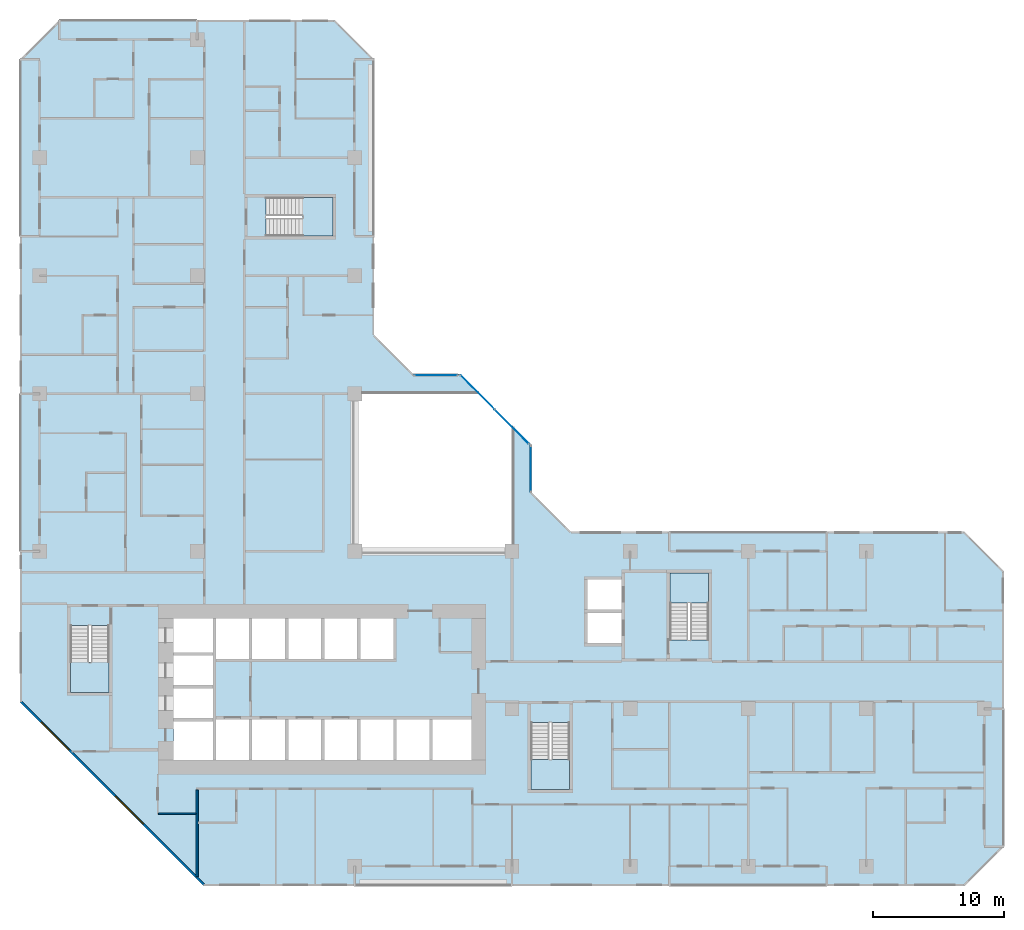
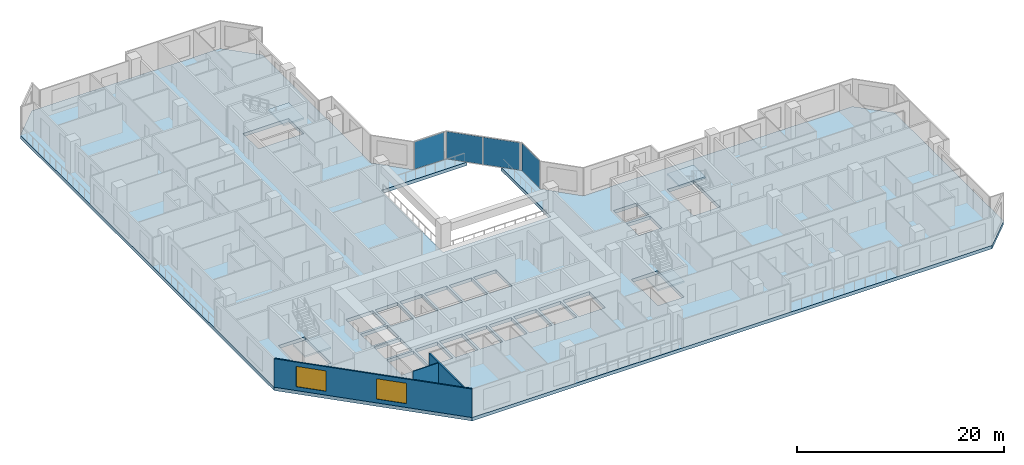
# One storey, part 3 of 15: 5 slabs, 4 plates, 3 walls, 2 windows, 2 openings, 7 elements without a shape of their own.
"""IFC4 building model written with IfcOpenShell, lengths in metres."""

from ifc_helpers import new_model, si_unit, direction, frame, frame_2d, origin, origin_2d, place, context, subcontext, project, spatial, polyline, rectangle, outline, extrude, material, layer, layer_set, type_object, element, fill, aggregate, save


model = new_model("IFC4")

# Units and contexts
model_context = context("Model", 3, precision=1e-05, world=origin(), true_north=direction((0.0, 1.0)))
body_context = subcontext(model_context, "Body", "Model", "MODEL_VIEW")
ifc_project = project(units=[si_unit("LENGTHUNIT", "METRE"), si_unit("AREAUNIT", "SQUARE_METRE"), si_unit("VOLUMEUNIT", "CUBIC_METRE"), si_unit("PLANEANGLEUNIT", "RADIAN"), si_unit("MASSUNIT", "GRAM", prefix="KILO")], contexts=[model_context])

# Site, building, storey
site_placement = place(None, origin())
site = spatial("IfcSite", under=ifc_project, at=site_placement, CompositionType="ELEMENT")
building_placement = place(site_placement, origin())
building = spatial("IfcBuilding", under=site, at=building_placement, Name="Chenar Terraces", CompositionType="ELEMENT")
storey_placement = place(building_placement, frame((0.0, 0.0, 52.64990234375)))
storey = spatial("IfcBuildingStorey", under=building, at=storey_placement, Name="L10", CompositionType="ELEMENT", Elevation=52.64990234375)

# Curtain wall, plate
ifc_material_1 = material(Name="Aluminium framed glazing", Category="aluminium")
ifc_layer_1 = layer(ifc_material_1, 0.14990234375)
ifc_layer_set_1 = layer_set([ifc_layer_1], Name="Aluminium framed glazing")
curtain_wall_type = type_object("IfcCurtainWallType", Name="Atrium curtain wall", PredefinedType="NOTDEFINED", material=ifc_layer_set_1)
placement_1 = place(storey_placement, origin())
curtain_wall_1 = element("IfcCurtainWall", 1, at=placement_1, inside=storey, type_object=curtain_wall_type, Name="Atrium curtain wall", PredefinedType="NOTDEFINED")
ifc_material_2 = material(Name="Low emissivity laminated glass, solar control coating", Category="glass")
ifc_layer_2 = layer(ifc_material_2, 0.028076171875)
ifc_layer_set_2 = layer_set([ifc_layer_2], Name="Low emissivity laminated glass, solar control coating")
plate_type = type_object("IfcPlateType", Name="Atrium glazing panel 28", PredefinedType="CURTAIN_PANEL", material=ifc_layer_set_2)
plate_1_placement = place(storey_placement, frame((37.425048828125, 30.300048828125, 0.06005859375), z_axis=(0.0, 0.0, 1.0), x_axis=(0.0, 1.0, 0.0)))
plate_1 = element("IfcPlate", 2, at=plate_1_placement, type_object=plate_type, Name="CW1-1 panel 1.1", PredefinedType="CURTAIN_PANEL", context=body_context, shape_type="SweptSolid", body=[
    extrude(rectangle(XDim=3.47998046875, YDim=0.028076171875, at=origin_2d()), origin(), (0.0, 0.0, 1.0), 3.22998046875),
])
aggregate(curtain_wall_1, [plate_1])

# Curtain wall, plates
curtain_wall_2 = element("IfcCurtainWall", 3, at=placement_1, inside=storey, type_object=curtain_wall_type, Name="Atrium curtain wall", PredefinedType="NOTDEFINED")
plate_2_placement = place(storey_placement, frame((35.980224609375, 33.513671875, 0.06005859375), z_axis=(0.0, 0.0, 1.0), x_axis=(-0.707106781187, 0.707106781187, 0.0)))
plate_2 = element("IfcPlate", 4, at=plate_2_placement, type_object=plate_type, Name="CW1-2 panel 1.1", PredefinedType="CURTAIN_PANEL", context=body_context, shape_type="SweptSolid", body=[
    extrude(rectangle(XDim=3.62841796875, YDim=0.028076171875, at=origin_2d()), origin(), (0.0, 0.0, 1.0), 3.22998046875),
])
plate_3_placement = place(storey_placement, frame((33.3720703125, 36.121826171875, 0.06005859375), z_axis=(0.0, 0.0, 1.0), x_axis=(-0.707106781187, 0.707106781187, 0.0)))
plate_3 = element("IfcPlate", 5, at=plate_3_placement, type_object=plate_type, Name="CW1-2 panel 2.1", PredefinedType="CURTAIN_PANEL", context=body_context, shape_type="SweptSolid", body=[
    extrude(rectangle(XDim=3.62841796875, YDim=0.028076171875, at=origin_2d()), origin(), (0.0, 0.0, 1.0), 3.22998046875),
])
aggregate(curtain_wall_2, [plate_2, plate_3])

# Curtain wall, plate
curtain_wall_3 = element("IfcCurtainWall", 6, at=placement_1, inside=storey, type_object=curtain_wall_type, Name="Atrium curtain wall", PredefinedType="NOTDEFINED")
plate_4_placement = place(storey_placement, frame((30.199951171875, 37.425048828125, 0.06005859375), z_axis=(0.0, 0.0, 1.0), x_axis=(-1.0, 0.0, 0.0)))
plate_4 = element("IfcPlate", 7, at=plate_4_placement, type_object=plate_type, Name="CW1-3 panel 1.1", PredefinedType="CURTAIN_PANEL", context=body_context, shape_type="SweptSolid", body=[
    extrude(rectangle(XDim=3.280029296875, YDim=0.028076171875, at=origin_2d()), origin(), (0.0, 0.0, 1.0), 3.22998046875),
])
aggregate(curtain_wall_3, [plate_4])

# Stair, slab
ifc_material_3 = material(Name="Reinforced concrete C40/50", Category="concrete")
stair_type = type_object("IfcStairType", Name="Core stair 1400 half-turn", PredefinedType="HALF_TURN_STAIR", material=ifc_material_3)
stair_1 = element("IfcStair", 8, at=placement_1, inside=storey, type_object=stair_type, Name="L10 Stair 1", PredefinedType="HALF_TURN_STAIR")
ifc_material_4 = material(Name="Reinforced concrete C40/50", Category="concrete")
ifc_layer_3 = layer(ifc_material_4, 0.199951171875)
ifc_layer_set_3 = layer_set([ifc_layer_3], Name="Reinforced concrete C40/50")
slab_type_1 = type_object("IfcSlabType", Name="Core stair landing 200", PredefinedType="LANDING", material=ifc_layer_set_3)
placement_2 = place(storey_placement, frame((0.0, 0.0, 1.675048828125)))
slab_1 = element("IfcSlab", 9, at=placement_2, type_object=slab_type_1, Name="ST1 landing 1", PredefinedType="LANDING", context=body_context, shape_type="SweptSolid", body=[
    extrude(outline(polyline([(2.35009765625, 15.550048828125), (2.35009765625, 13.25), (5.300048828125, 13.25), (5.300048828125, 15.550048828125), (2.35009765625, 15.550048828125)])), origin(), (0.0, 0.0, 1.0), 0.199951171875),
])
aggregate(stair_1, [slab_1])

stair_2 = element("IfcStair", 10, at=placement_1, inside=storey, type_object=stair_type, Name="L10 Stair 2", PredefinedType="HALF_TURN_STAIR")
slab_2 = element("IfcSlab", 11, at=placement_2, type_object=slab_type_1, Name="ST2 landing 1", PredefinedType="LANDING", context=body_context, shape_type="SweptSolid", body=[
    extrude(outline(polyline([(37.449951171875, 8.14990234375), (37.449951171875, 5.85009765625), (40.39990234375, 5.85009765625), (40.39990234375, 8.14990234375), (37.449951171875, 8.14990234375)])), origin(), (0.0, 0.0, 1.0), 0.199951171875),
])
aggregate(stair_2, [slab_2])

stair_3 = element("IfcStair", 12, at=placement_1, inside=storey, type_object=stair_type, Name="L10 Stair 3", PredefinedType="HALF_TURN_STAIR")
slab_3 = element("IfcSlab", 13, at=placement_2, type_object=slab_type_1, Name="ST3 landing 1", PredefinedType="LANDING", context=body_context, shape_type="SweptSolid", body=[
    extrude(outline(polyline([(50.97509765625, 20.050048828125), (50.97509765625, 22.35009765625), (48.02490234375, 22.35009765625), (48.02490234375, 20.050048828125), (50.97509765625, 20.050048828125)])), origin(), (0.0, 0.0, 1.0), 0.199951171875),
])
aggregate(stair_3, [slab_3])

stair_4 = element("IfcStair", 14, at=placement_1, inside=storey, type_object=stair_type, Name="L10 Stair 4", PredefinedType="HALF_TURN_STAIR")
slab_4 = element("IfcSlab", 15, at=placement_2, type_object=slab_type_1, Name="ST4 landing 1", PredefinedType="LANDING", context=body_context, shape_type="SweptSolid", body=[
    extrude(outline(polyline([(20.050048828125, 48.02490234375), (22.35009765625, 48.02490234375), (22.35009765625, 50.97509765625), (20.050048828125, 50.97509765625), (20.050048828125, 48.02490234375)])), origin(), (0.0, 0.0, 1.0), 0.199951171875),
])
aggregate(stair_4, [slab_4])

# Slab
ifc_material_5 = material(Name="Concrete C40/50", Category="concrete")
ifc_layer_4 = layer(ifc_material_5, 0.39990234375)
ifc_layer_set_4 = layer_set([ifc_layer_4], Name="Concrete C40/50")
slab_type_2 = type_object("IfcSlabType", Name="Floor slab 400 Concrete C40/50", PredefinedType="FLOOR", material=ifc_layer_set_4)
slab_5_placement = place(storey_placement, frame((0.0, 0.0, -0.39990234375)))
element("IfcSlab", 16, at=slab_5_placement, inside=storey, type_object=slab_type_2, Name="Floor slab L10", PredefinedType="FLOOR", context=body_context, shape_type="SweptSolid", body=[
    extrude(outline(polyline([(73.5, 22.5), (73.5, 1.5), (70.5, -1.5), (12.5, -1.5), (-1.5, 12.5), (-1.5, 61.5), (1.5, 64.5), (22.5, 64.5), (25.5, 61.5), (25.5, 40.5), (28.5, 37.5), (32.10009765625, 37.5), (33.60009765625, 36.0), (24.0, 36.0), (24.0, 24.0), (36.0, 24.0), (36.0, 33.60009765625), (37.5, 32.10009765625), (37.5, 28.5), (40.5, 25.5), (70.5, 25.5), (73.5, 22.5)]), holes=[polyline([(13.199951171875, 11.050048828125), (10.199951171875, 11.050048828125), (10.199951171875, 8.10009765625), (13.199951171875, 8.10009765625), (13.199951171875, 11.050048828125)]), polyline([(15.949951171875, 11.199951171875), (13.449951171875, 11.199951171875), (13.449951171875, 8.10009765625), (15.949951171875, 8.10009765625), (15.949951171875, 11.199951171875)]), polyline([(18.699951171875, 11.199951171875), (16.199951171875, 11.199951171875), (16.199951171875, 8.10009765625), (18.699951171875, 8.10009765625), (18.699951171875, 11.199951171875)]), polyline([(21.449951171875, 8.10009765625), (21.449951171875, 11.199951171875), (18.949951171875, 11.199951171875), (18.949951171875, 8.10009765625), (21.449951171875, 8.10009765625)]), polyline([(13.199951171875, 11.300048828125), (13.199951171875, 13.550048828125), (10.199951171875, 13.550048828125), (10.199951171875, 11.300048828125), (13.199951171875, 11.300048828125)]), polyline([(13.199951171875, 16.050048828125), (10.199951171875, 16.050048828125), (10.199951171875, 13.800048828125), (13.199951171875, 13.800048828125), (13.199951171875, 16.050048828125)]), polyline([(2.35009765625, 18.35009765625), (2.35009765625, 13.25), (5.300048828125, 13.25), (5.300048828125, 18.35009765625), (2.35009765625, 18.35009765625)]), polyline([(15.949951171875, 15.800048828125), (15.949951171875, 18.89990234375), (13.449951171875, 18.89990234375), (13.449951171875, 15.800048828125), (15.949951171875, 15.800048828125)]), polyline([(18.699951171875, 18.89990234375), (16.199951171875, 18.89990234375), (16.199951171875, 15.800048828125), (18.699951171875, 15.800048828125), (18.699951171875, 18.89990234375)]), polyline([(21.449951171875, 15.800048828125), (21.449951171875, 18.89990234375), (18.949951171875, 18.89990234375), (18.949951171875, 15.800048828125), (21.449951171875, 15.800048828125)]), polyline([(13.199951171875, 16.300048828125), (13.199951171875, 18.89990234375), (10.199951171875, 18.89990234375), (10.199951171875, 16.300048828125), (13.199951171875, 16.300048828125)]), polyline([(22.35009765625, 48.02490234375), (22.35009765625, 50.97509765625), (17.25, 50.97509765625), (17.25, 48.02490234375), (22.35009765625, 48.02490234375)]), polyline([(37.449951171875, 10.949951171875), (37.449951171875, 5.85009765625), (40.39990234375, 5.85009765625), (40.39990234375, 10.949951171875), (37.449951171875, 10.949951171875)]), polyline([(24.199951171875, 8.10009765625), (24.199951171875, 11.199951171875), (21.699951171875, 11.199951171875), (21.699951171875, 8.10009765625), (24.199951171875, 8.10009765625)]), polyline([(26.949951171875, 11.199951171875), (24.449951171875, 11.199951171875), (24.449951171875, 8.10009765625), (26.949951171875, 8.10009765625), (26.949951171875, 11.199951171875)]), polyline([(29.699951171875, 8.10009765625), (29.699951171875, 11.199951171875), (27.199951171875, 11.199951171875), (27.199951171875, 8.10009765625), (29.699951171875, 8.10009765625)]), polyline([(32.89990234375, 8.10009765625), (32.89990234375, 11.199951171875), (29.949951171875, 11.199951171875), (29.949951171875, 8.10009765625), (32.89990234375, 8.10009765625)]), polyline([(24.199951171875, 18.89990234375), (21.699951171875, 18.89990234375), (21.699951171875, 15.800048828125), (24.199951171875, 15.800048828125), (24.199951171875, 18.89990234375)]), polyline([(26.949951171875, 15.800048828125), (26.949951171875, 18.89990234375), (24.449951171875, 18.89990234375), (24.449951171875, 15.800048828125), (26.949951171875, 15.800048828125)]), polyline([(44.35009765625, 17.0), (44.35009765625, 19.300048828125), (41.75, 19.300048828125), (41.75, 17.0), (44.35009765625, 17.0)]), polyline([(50.97509765625, 22.35009765625), (48.02490234375, 22.35009765625), (48.02490234375, 17.25), (50.97509765625, 17.25), (50.97509765625, 22.35009765625)]), polyline([(44.35009765625, 19.550048828125), (44.35009765625, 21.85009765625), (41.75, 21.85009765625), (41.75, 19.550048828125), (44.35009765625, 19.550048828125)])]), origin(), (0.0, 0.0, 1.0), 0.39990234375),
])

# Wall
ifc_material_6 = material(Name="Gypsum board on steel studs", Category="steel")
ifc_layer_5 = layer(ifc_material_6, 0.10009765625)
ifc_layer_set_5 = layer_set([ifc_layer_5], Name="Gypsum board on steel studs")
wall_type_1 = type_object("IfcWallType", Name="Gypsum partition 100", PredefinedType="PARTITIONING", material=ifc_layer_set_5)
wall_1_placement = place(storey_placement, frame((9.050048828125, 4.0, 0.0), z_axis=(0.0, 0.0, 1.0), x_axis=(1.0, 0.0, 0.0)))
element("IfcWall", 17, at=wall_1_placement, inside=storey, type_object=wall_type_1, Name="Partition L10-037", PredefinedType="PARTITIONING", context=body_context, shape_type="SweptSolid", body=[
    extrude(rectangle(XDim=2.875, YDim=0.10009765625, at=frame_2d((1.4375, 0.0))), origin(), (0.0, 0.0, 1.0), 3.35009765625),
])

# Wall, openings, windows
ifc_material_7 = material(Name="Terracotta cladding on insulated backing", Category="masonry")
ifc_layer_6 = layer(ifc_material_7, 0.14990234375)
ifc_layer_set_6 = layer_set([ifc_layer_6], Name="Terracotta cladding on insulated backing")
wall_type_2 = type_object("IfcWallType", Name="Terracotta rainscreen wall 150", PredefinedType="SOLIDWALL", material=ifc_layer_set_6)
wall_2_placement = place(storey_placement, frame((-1.447021484375, 12.552978515625, 0.0), z_axis=(0.0, 0.0, 1.0), x_axis=(0.707106781187, -0.707106781187, 0.0)))
wall_2 = element("IfcWall", 18, at=wall_2_placement, inside=storey, type_object=wall_type_2, Name="Terracotta rainscreen wall", PredefinedType="SOLIDWALL", context=body_context, shape_type="SweptSolid", body=[
    extrude(rectangle(XDim=19.799072265625, YDim=0.14990234375, at=frame_2d((9.8994140625, 0.0))), origin(), (0.0, 0.0, 1.0), 3.35009765625),
])
opening_1_placement = place(wall_2_placement, frame((2.21240234375, 0.0, 0.449951171875)))
opening_1 = element("IfcOpeningElement", 19, at=opening_1_placement, cuts=wall_2, Name="Opening W300x240", PredefinedType="OPENING", context=body_context, shape_type="SweptSolid", body=[
    extrude(rectangle(XDim=3.0, YDim=2.39990234375, at=frame_2d((1.5, 1.199951171875))), frame((0.0, 0.0849609375, 0.0), z_axis=(0.0, -1.0, 0.0), x_axis=(1.0, 0.0, 0.0)), (0.0, 0.0, 1.0), 0.169921875),
])
opening_2_placement = place(wall_2_placement, frame((10.215576171875, 0.0, 0.449951171875)))
opening_2 = element("IfcOpeningElement", 20, at=opening_2_placement, cuts=wall_2, Name="Opening W300x240", PredefinedType="OPENING", context=body_context, shape_type="SweptSolid", body=[
    extrude(rectangle(XDim=3.0, YDim=2.39990234375, at=frame_2d((1.5, 1.199951171875))), frame((0.0, 0.0849609375, 0.0), z_axis=(0.0, -1.0, 0.0), x_axis=(1.0, 0.0, 0.0)), (0.0, 0.0, 1.0), 0.169921875),
])
ifc_material_8 = material(Name="Low emissivity double glazing, aluminium frame", Category="aluminium")
window_type = type_object("IfcWindowType", Name="Fixed light 3000 x 2400", PartitioningType="SINGLE_PANEL", PredefinedType="WINDOW", material=ifc_material_8)
window_1_placement = place(opening_1_placement, origin())
window_1 = element("IfcWindow", 21, at=window_1_placement, inside=storey, type_object=window_type, Name="Window", OverallHeight=2.39990234375, OverallWidth=3.0, PartitioningType="SINGLE_PANEL", PredefinedType="WINDOW", context=body_context, shape_type="SweptSolid", body=[
    extrude(rectangle(XDim=3.0, YDim=2.39990234375, at=frame_2d((1.5, 1.199951171875))), frame((0.0, 0.030029296875, 0.0), z_axis=(0.0, -1.0, 0.0), x_axis=(1.0, 0.0, 0.0)), (0.0, 0.0, 1.0), 0.06005859375),
])
fill(opening_1, window_1)
window_2_placement = place(opening_2_placement, origin())
window_2 = element("IfcWindow", 22, at=window_2_placement, inside=storey, type_object=window_type, Name="Window", OverallHeight=2.39990234375, OverallWidth=3.0, PartitioningType="SINGLE_PANEL", PredefinedType="WINDOW", context=body_context, shape_type="SweptSolid", body=[
    extrude(rectangle(XDim=3.0, YDim=2.39990234375, at=frame_2d((1.5, 1.199951171875))), frame((0.0, 0.030029296875, 0.0), z_axis=(0.0, -1.0, 0.0), x_axis=(1.0, 0.0, 0.0)), (0.0, 0.0, 1.0), 0.06005859375),
])
fill(opening_2, window_2)

# Wall
ifc_material_9 = material(Name="Moisture-resistant gypsum board on steel studs", Category="steel")
ifc_layer_7 = layer(ifc_material_9, 0.14990234375)
ifc_layer_set_7 = layer_set([ifc_layer_7], Name="Moisture-resistant gypsum board on steel studs")
wall_type_3 = type_object("IfcWallType", Name="Wet-room partition 150", PredefinedType="PARTITIONING", material=ifc_layer_set_7)
wall_3_placement = place(storey_placement, frame((12.0, -0.787841796875, 0.0), z_axis=(0.0, 0.0, 1.0), x_axis=(0.0, 1.0, 0.0)))
element("IfcWall", 23, at=wall_3_placement, inside=storey, type_object=wall_type_3, Name="Partition L10-039", PredefinedType="PARTITIONING", context=body_context, shape_type="SweptSolid", body=[
    extrude(rectangle(XDim=6.61279296875, YDim=0.14990234375, at=frame_2d((3.306396484375, 0.0))), origin(), (0.0, 0.0, 1.0), 3.35009765625),
])

save(model, "model.ifc")
